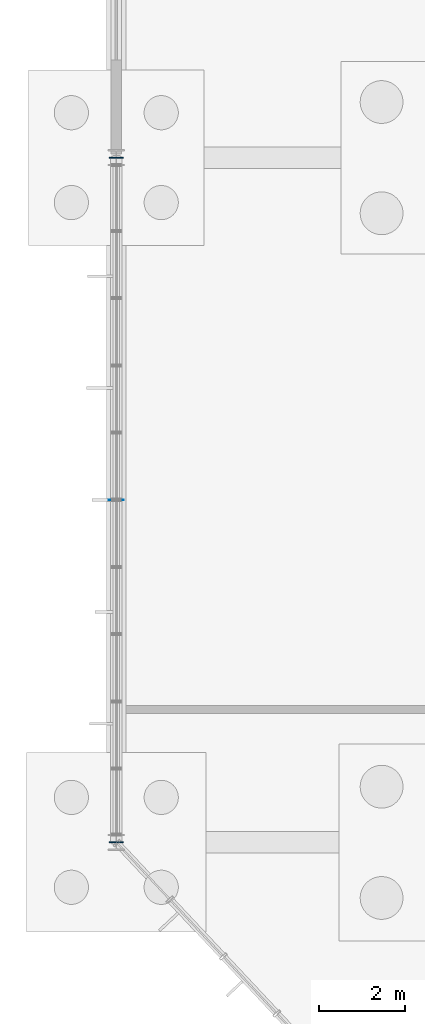
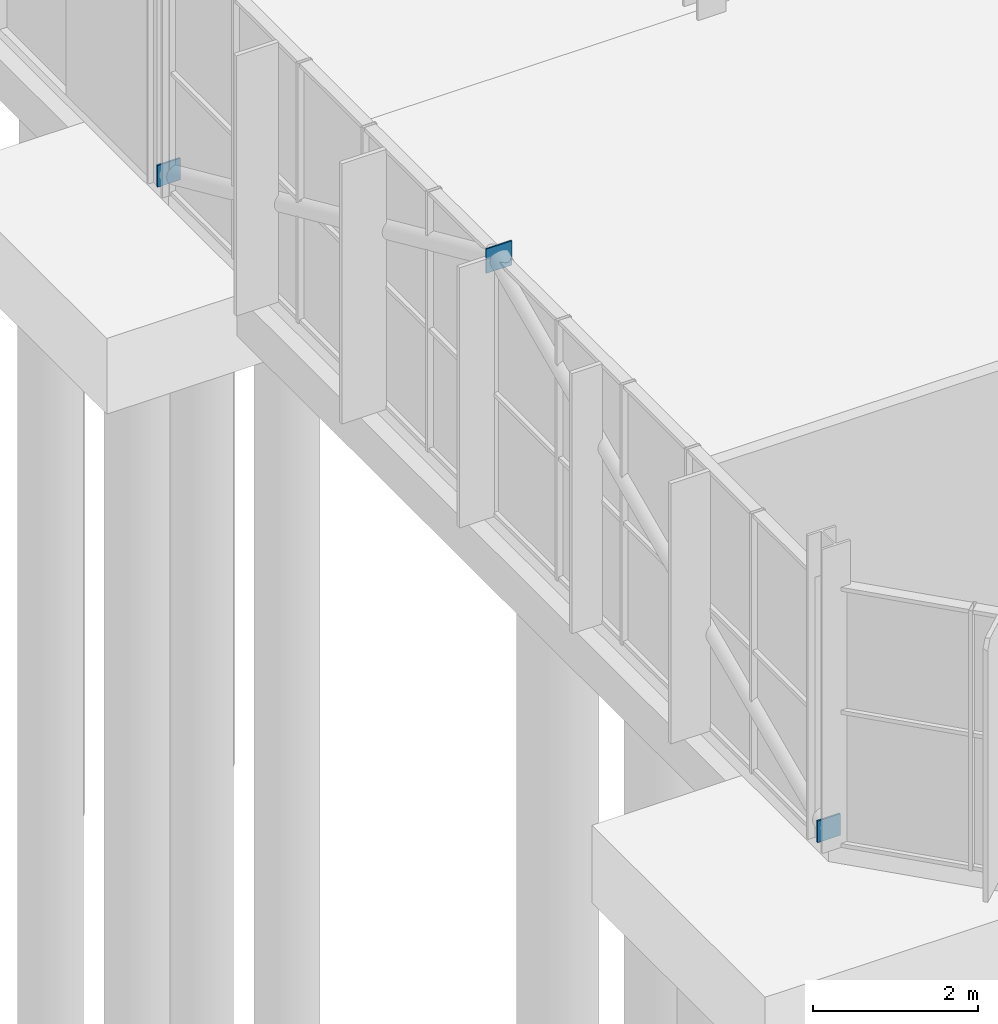
# One storey, part 99 of 136: 3 plates.
"""IFC4 building model written with IfcOpenShell, lengths in metres."""

from ifc_helpers import new_model, si_unit, direction, frame, origin, origin_2d, place, context, subcontext, project, spatial, rectangle, extrude, material, layer, layer_set, type_object, element, save


model = new_model("IFC4")

# Units and contexts
model_context = context("Model", 3, precision=1e-05, world=origin(), true_north=direction((0.0, 1.0)))
body_context = subcontext(model_context, "Body", "Model", "MODEL_VIEW")
ifc_project = project(units=[si_unit("LENGTHUNIT", "METRE"), si_unit("AREAUNIT", "SQUARE_METRE"), si_unit("VOLUMEUNIT", "CUBIC_METRE"), si_unit("PLANEANGLEUNIT", "RADIAN"), si_unit("MASSUNIT", "GRAM", prefix="KILO")], contexts=[model_context])

# Site, building, storey
site_placement = place(None, origin())
site = spatial("IfcSite", under=ifc_project, at=site_placement, CompositionType="ELEMENT")
building_placement = place(site_placement, origin())
building = spatial("IfcBuilding", under=site, at=building_placement, Name="Solvenia Promenade Tram Depot", CompositionType="ELEMENT")
storey_placement = place(building_placement, origin())
storey = spatial("IfcBuildingStorey", under=building, at=storey_placement, Name="L00", CompositionType="ELEMENT", Elevation=0.0)

# Plates
ifc_material = material(Name="Structural steel ASTM A572 Gr. 50", Category="steel")
ifc_layer = layer(ifc_material, 0.02392578125, Name="Structural steel ASTM A572 Gr. 50", Category="steel")
ifc_layer_set = layer_set([ifc_layer], Name="Structural steel ASTM A572 Gr. 50")
plate_type = type_object("IfcPlateType", Name="EndCap-CP1", PredefinedType="SHEET", material=ifc_layer_set)
plate_placement = place(storey_placement, frame((0.0, 16.0, 3.6201171875), z_axis=(0.0, 0.0, 1.0), x_axis=(1.0, 0.0, 0.0)))
element("IfcPlate", 1, at=plate_placement, inside=storey, type_object=plate_type, Name="Chevron Gusset Cap Plate 12", PredefinedType="SHEET", context=body_context, shape_type="SweptSolid", body=[
    extrude(rectangle(XDim=0.360107421875, YDim=0.02001953125, at=origin_2d()), origin(), (0.0, 0.0, 1.0), 0.360107421875),
])
for number, where, z_axis, x_axis, name in (
    (2, (0.0, 8.0, 0.0400390625), (0.0, 0.0, 1.0), (1.0, 0.0, 0.0), "Chevron Left Foot Gusset Plate 12"),
    (3, (0.0, 24.0, 0.0400390625), (0.0, 0.0, 1.0), (1.0, 0.0, 0.0), "Chevron Right Foot Gusset Plate 12"),
):
    element("IfcPlate", number, at=place(storey_placement, frame(where, z_axis=z_axis, x_axis=x_axis)), inside=storey, type_object=plate_type, Name=name, PredefinedType="SHEET", context=body_context, shape_type="SweptSolid", body=[
        extrude(rectangle(XDim=0.320068359375, YDim=0.02392578125, at=origin_2d()), origin(), (0.0, 0.0, 1.0), 0.320068359375),
    ])

save(model, "model.ifc")
